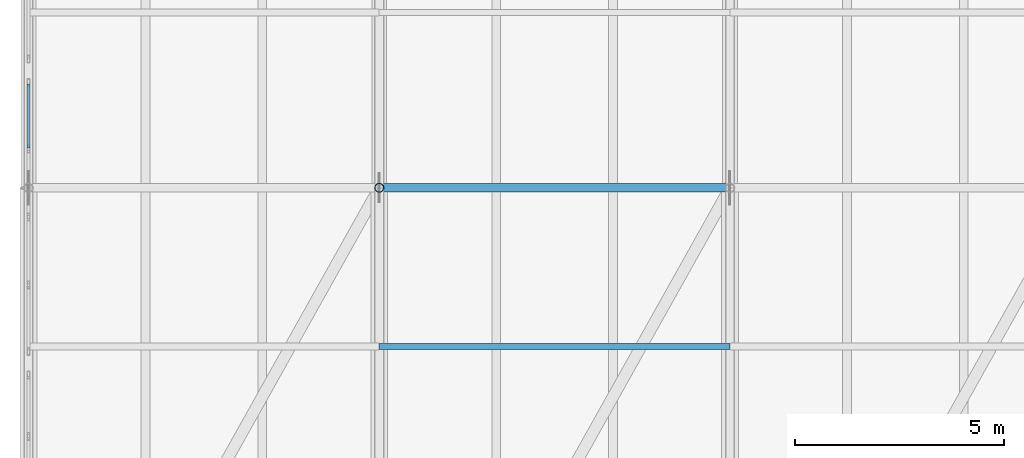
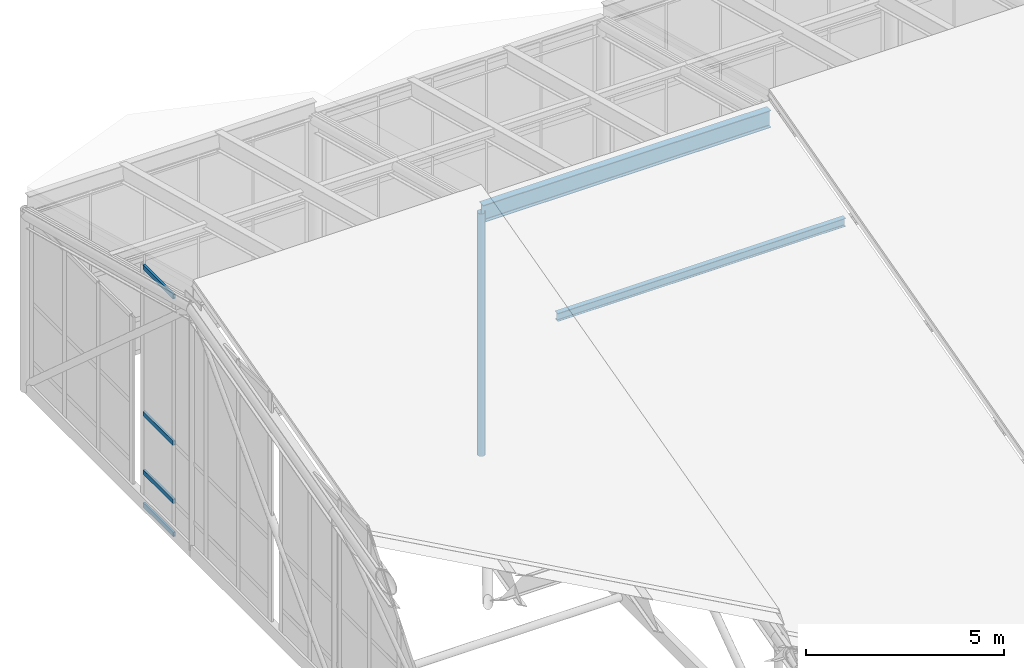
# One storey, part 13 of 43: 6 members, 1 beam, 1 element without a shape of its own.
"""IFC4 building model written with IfcOpenShell, lengths in metres."""

import ifcopenshell
import ifcopenshell.guid

model = None  # the IFC model being written
_history = None  # IfcOwnerHistory: only IFC2X3 demands one
_inside = {}  # id of a spatial element -> (the spatial element, [elements in it])
_under = {}  # id of a project, library or spatial element -> (it, [spatial elements below it])
_declared = {}  # id of a project -> (the project, [libraries it declares])
_typed = {}  # id of a type object -> (the type object, [elements of that type])
_made_of = {}  # id of a material, layer set ... -> (it, [elements and type objects made of it])


def new_model(schema):
    """Start an empty IFC model of exactly this schema.

    Asked for "IFC4X3", IfcOpenShell would pick the latest addendum, in which some entities
    have other attributes; the version numbers below select the first issue.
    IFC2X3 requires an IfcOwnerHistory on every rooted entity: one is made here for all.
    """
    global model, _history
    if schema == "IFC4X3":
        model = ifcopenshell.file(schema_version=(4, 3, 0, 0))
    else:
        model = ifcopenshell.file(schema=schema)
    _inside.clear()
    _under.clear()
    _declared.clear()
    _typed.clear()
    _made_of.clear()
    _history = None
    if model.schema == "IFC2X3":
        org = make("IfcOrganization", Name="unknown")
        user = make(
            "IfcPersonAndOrganization",
            ThePerson=make("IfcPerson", FamilyName="unknown"),
            TheOrganization=org,
        )
        app = make(
            "IfcApplication",
            ApplicationDeveloper=org,
            Version="unknown",
            ApplicationFullName="unknown",
            ApplicationIdentifier="unknown",
        )
        _history = make(
            "IfcOwnerHistory",
            OwningUser=user,
            OwningApplication=app,
            ChangeAction="ADDED",
            CreationDate=0,
        )
    return model


def make(cls, **values):
    """One entity of the class cls with the attributes given. An attribute that is None is left unset."""
    return model.create_entity(
        cls, **{name: value for name, value in values.items() if value is not None}
    )


def rooted(cls, **values):
    """An entity with a GlobalId (a new one), such as an element, a storey or a relation."""
    return make(cls, GlobalId=ifcopenshell.guid.new(), OwnerHistory=_history, **values)


def si_unit(unit_type, name, prefix=None):
    """IfcSIUnit, for example si_unit("LENGTHUNIT", "METRE", prefix="MILLI")."""
    return make("IfcSIUnit", UnitType=unit_type, Prefix=prefix, Name=name)


def assignment(units):
    """IfcUnitAssignment: the units of a project."""
    return None if units is None else make("IfcUnitAssignment", Units=units)


def point(xyz):
    """IfcCartesianPoint."""
    return None if xyz is None else make("IfcCartesianPoint", Coordinates=xyz)


def direction(xyz):
    """IfcDirection."""
    return None if xyz is None else make("IfcDirection", DirectionRatios=xyz)


def frame(location, z_axis=None, x_axis=None):
    """IfcAxis2Placement3D, a coordinate frame: its origin and axes. An axis left out is left unset."""
    return make(
        "IfcAxis2Placement3D",
        Location=point(location),
        Axis=direction(z_axis),
        RefDirection=direction(x_axis),
    )


def frame_2d(location, x_axis=None):
    """IfcAxis2Placement2D, a coordinate frame in the plane: its origin and x axis."""
    return make(
        "IfcAxis2Placement2D", Location=point(location), RefDirection=direction(x_axis)
    )


def origin():
    """The frame at (0, 0, 0) with its axes left unset."""
    return frame((0.0, 0.0, 0.0))


def origin_2d():
    """The frame at (0, 0) in the plane with its x axis left unset."""
    return frame_2d((0.0, 0.0))


def place(relative_to, where):
    """IfcLocalPlacement: puts the frame where relative to a parent placement (None: the world)."""
    return make(
        "IfcLocalPlacement", PlacementRelTo=relative_to, RelativePlacement=where
    )


def context(
    kind, dimensions, precision=None, world=None, true_north=None, identifier=None
):
    """IfcGeometricRepresentationContext, for example the 3D "Model" context."""
    return make(
        "IfcGeometricRepresentationContext",
        ContextIdentifier=identifier,
        ContextType=kind,
        CoordinateSpaceDimension=dimensions,
        Precision=precision,
        WorldCoordinateSystem=world,
        TrueNorth=true_north,
    )


def subcontext(parent, identifier, kind, view, scale=None):
    """IfcGeometricRepresentationSubContext, for example "Body" below "Model"."""
    return make(
        "IfcGeometricRepresentationSubContext",
        ContextIdentifier=identifier,
        ContextType=kind,
        ParentContext=parent,
        TargetScale=scale,
        TargetView=view,
    )


def project(units=None, contexts=None):
    """IfcProject with its units and contexts."""
    return rooted(
        "IfcProject",
        Name="project",
        RepresentationContexts=contexts,
        UnitsInContext=assignment(units),
    )


def spatial(cls, under=None, at=None, **own):
    """A site, building, storey or space (cls), placed at a placement, below another one or the project."""
    s = rooted(cls, ObjectPlacement=at, **own)
    if under is not None:
        _under.setdefault(under.id(), (under, []))[1].append(s)
    return s


def profile(cls, at=None, kind="AREA", **sizes):
    """A parametric profile (cls). Its sizes go by their IFC names, for example OverallWidth=200.0."""
    return make(cls, ProfileType=kind, Position=at, **sizes)


def hollow_rectangle(**sizes):
    """IfcRectangleHollowProfileDef."""
    return profile("IfcRectangleHollowProfileDef", **sizes)


def hollow_circle(**sizes):
    """IfcCircleHollowProfileDef."""
    return profile("IfcCircleHollowProfileDef", **sizes)


def i_section(**sizes):
    """IfcIShapeProfileDef."""
    return profile("IfcIShapeProfileDef", **sizes)


def extrude(swept, where, along, depth):
    """IfcExtrudedAreaSolid: the profile swept, set in the frame where, extruded along a direction by depth."""
    return make(
        "IfcExtrudedAreaSolid",
        SweptArea=swept,
        Position=where,
        ExtrudedDirection=direction(along),
        Depth=depth,
    )


def shape(context_of_items, identifier, shape_type, items):
    """IfcShapeRepresentation: the items that make up one representation, for example the "Body"."""
    return make(
        "IfcShapeRepresentation",
        ContextOfItems=context_of_items,
        RepresentationIdentifier=identifier,
        RepresentationType=shape_type,
        Items=items,
    )


def material(Name=None, Category=None):
    """IfcMaterial."""
    return make("IfcMaterial", Name=Name, Category=Category)


def layer(
    of_material, thickness, ventilated=None, Name=None, Category=None, Priority=None
):
    """IfcMaterialLayer: one layer of a wall or slab, of a material (None: an air gap)."""
    return make(
        "IfcMaterialLayer",
        Material=of_material,
        LayerThickness=thickness,
        IsVentilated=ventilated,
        Name=Name,
        Category=Category,
        Priority=Priority,
    )


def layer_set(layers, Name=None):
    """IfcMaterialLayerSet."""
    return make("IfcMaterialLayerSet", MaterialLayers=layers, LayerSetName=Name)


def material_profile(
    of_material, cross_section, Name=None, Category=None, Priority=None
):
    """IfcMaterialProfile: a cross section and its material."""
    return make(
        "IfcMaterialProfile",
        Name=Name,
        Material=of_material,
        Profile=cross_section,
        Priority=Priority,
        Category=Category,
    )


def profile_set(profiles, Name=None, composite=None):
    """IfcMaterialProfileSet."""
    return make(
        "IfcMaterialProfileSet",
        Name=Name,
        MaterialProfiles=profiles,
        CompositeProfile=composite,
    )


def made_of(thing, what):
    """Note that an element or type object is made of a material, layer set ...; save() writes the relation."""
    if what is not None:
        _made_of.setdefault(what.id(), (what, []))[1].append(thing)
    return thing


def type_object(cls, material=None, **own):
    """A type object (cls), such as IfcWallType, which elements share."""
    return made_of(rooted(cls, **own), material)


def element(
    cls,
    number,
    at=None,
    inside=None,
    cuts=None,
    type_object=None,
    material=None,
    context=None,
    identifier="Body",
    shape_type=None,
    held_by="IfcProductDefinitionShape",
    body=None,
    shapes=None,
    **own,
):
    """One element of the class cls, such as IfcWall. Its Tag is "e" and its number.

    at: its placement. inside: the storey or other place that contains it. cuts: it is an
    opening in that element (IfcRelVoidsElement). A single representation is given by context,
    identifier, shape_type and body (its items); several are given by shapes. held_by: the class
    of the entity that holds the representations. save() writes the other relations.
    """
    e = rooted(cls, Tag="e%d" % number, ObjectPlacement=at, **own)
    if body is not None:
        shapes = [shape(context, identifier, shape_type, body)]
    if shapes is not None:
        e.Representation = make(held_by, Representations=shapes)
    if inside is not None:
        _inside.setdefault(inside.id(), (inside, []))[1].append(e)
    if cuts is not None:
        rooted(
            "IfcRelVoidsElement", RelatingBuildingElement=cuts, RelatedOpeningElement=e
        )
    if type_object is not None:
        _typed.setdefault(type_object.id(), (type_object, []))[1].append(e)
    return made_of(e, material)


def aggregate(whole, parts):
    """IfcRelAggregates: a whole, such as a stair, and the parts it consists of."""
    return rooted("IfcRelAggregates", RelatingObject=whole, RelatedObjects=parts)


def save(model, path):
    """Write the relations noted so far, then the file.

    IfcRelAggregates (storeys below a building ...), IfcRelContainedInSpatialStructure (elements
    in a storey), IfcRelDefinesByType, IfcRelAssociatesMaterial and IfcRelDeclares: one each for
    every whole, place, type object, material and project.
    """
    for whole, parts in _under.values():
        aggregate(whole, parts)
    for where, things in _inside.values():
        rooted(
            "IfcRelContainedInSpatialStructure",
            RelatedElements=things,
            RelatingStructure=where,
        )
    for kind, things in _typed.values():
        rooted("IfcRelDefinesByType", RelatedObjects=things, RelatingType=kind)
    for what, things in _made_of.values():
        rooted("IfcRelAssociatesMaterial", RelatedObjects=things, RelatingMaterial=what)
    for by, libraries in _declared.values():
        rooted("IfcRelDeclares", RelatingContext=by, RelatedDefinitions=libraries)
    model.write(path)


model = new_model("IFC4")

# Units and contexts
model_context = context("Model", 3, precision=1e-05, world=origin(), true_north=direction((0.0, 1.0)))
body_context = subcontext(model_context, "Body", "Model", "MODEL_VIEW")
ifc_project = project(units=[si_unit("LENGTHUNIT", "METRE"), si_unit("AREAUNIT", "SQUARE_METRE"), si_unit("VOLUMEUNIT", "CUBIC_METRE"), si_unit("PLANEANGLEUNIT", "RADIAN"), si_unit("MASSUNIT", "GRAM", prefix="KILO")], contexts=[model_context])

# Site, building, storey
site_placement = place(None, origin())
site = spatial("IfcSite", under=ifc_project, at=site_placement, CompositionType="ELEMENT")
building_placement = place(site_placement, origin())
building = spatial("IfcBuilding", under=site, at=building_placement, Name="Selat Folded Stagehouse", CompositionType="ELEMENT")
storey_placement = place(building_placement, frame((0.0, 0.0, 32.39990234375)))
storey = spatial("IfcBuildingStorey", under=building, at=storey_placement, Name="RF", CompositionType="ELEMENT", Elevation=32.39990234375)

# Beam
ifc_material_1 = material(Name="Steel S355", Category="steel")
ifc_material_profile_1 = material_profile(ifc_material_1, i_section(OverallWidth=0.209228515625, OverallDepth=0.533203125, WebThickness=0.010009765625, FlangeThickness=0.015625, FilletRadius=0.0126953125, at=origin_2d()), Name="UKB 533x210x92")
ifc_profile_set_1 = profile_set([ifc_material_profile_1], Name="Steel S355")
beam_type = type_object("IfcBeamType", Name="BM-GIRD-533x210x92", PredefinedType="BEAM", material=ifc_profile_set_1)
beam_placement = place(storey_placement, frame((16.800048828125, 46.199951171875, 7.60888671875), z_axis=(1.0, 0.0, 0.0), x_axis=(0.0, 1.0, 0.0)))
element("IfcBeam", 1, at=beam_placement, inside=storey, type_object=beam_type, Name="RF bay 2 R roof bearer beam", PredefinedType="BEAM", context=body_context, shape_type="SweptSolid", body=[
    extrude(i_section(OverallWidth=0.209228515625, OverallDepth=0.533203125, WebThickness=0.010009765625, FlangeThickness=0.015625, FilletRadius=0.0126953125, at=origin_2d()), origin(), (0.0, 0.0, 1.0), 8.39990234375),
])

# Curtain wall, members
ifc_material_2 = material(Name="Aluminium 6063-T6", Category="aluminium")
ifc_layer = layer(ifc_material_2, 0.169921875)
ifc_layer_set = layer_set([ifc_layer], Name="Aluminium 6063-T6")
curtain_wall_type = type_object("IfcCurtainWallType", Name="CW-CRN-CLER", PredefinedType="NOTDEFINED", material=ifc_layer_set)
curtain_wall_placement = place(storey_placement, origin())
curtain_wall = element("IfcCurtainWall", 2, at=curtain_wall_placement, inside=storey, type_object=curtain_wall_type, Name="RF curtain wall CW-RF-W-02", PredefinedType="NOTDEFINED")
ifc_material_profile_2 = material_profile(ifc_material_2, hollow_rectangle(XDim=0.06494140625, YDim=0.139892578125, WallThickness=0.00390625, at=origin_2d()), Name="ALU 140x65x4.0")
ifc_profile_set_2 = profile_set([ifc_material_profile_2], Name="Aluminium 6063-T6")
member_type_1 = type_object("IfcMemberType", Name="CWM-TRN-140x65", PredefinedType="USERDEFINED", material=ifc_profile_set_2)
member_1_placement = place(storey_placement, frame((8.39990234375, 47.157470703125, 0.03271484375), z_axis=(0.0, 1.0, 0.0), x_axis=(-1.0, 0.0, 0.0)))
member_1 = element("IfcMember", 3, at=member_1_placement, type_object=member_type_1, Name="CW-09 transom 4.1", ObjectType="TRANSOM", PredefinedType="USERDEFINED", context=body_context, shape_type="SweptSolid", body=[
    extrude(hollow_rectangle(XDim=0.06494140625, YDim=0.139892578125, WallThickness=0.00390625, at=origin_2d()), origin(), (0.0, 0.0, 1.0), 1.527587890625),
])
member_2_placement = place(storey_placement, frame((8.39990234375, 47.157470703125, 1.050048828125), z_axis=(0.0, 1.0, 0.0), x_axis=(-1.0, 0.0, 0.0)))
member_2 = element("IfcMember", 4, at=member_2_placement, type_object=member_type_1, Name="CW-09 transom 4.2", ObjectType="TRANSOM", PredefinedType="USERDEFINED", context=body_context, shape_type="SweptSolid", body=[
    extrude(hollow_rectangle(XDim=0.06494140625, YDim=0.139892578125, WallThickness=0.00390625, at=origin_2d()), origin(), (0.0, 0.0, 1.0), 1.527587890625),
])
member_3_placement = place(storey_placement, frame((8.39990234375, 47.157470703125, 2.85009765625), z_axis=(0.0, 1.0, 0.0), x_axis=(-1.0, 0.0, 0.0)))
member_3 = element("IfcMember", 5, at=member_3_placement, type_object=member_type_1, Name="CW-09 transom 4.3", ObjectType="TRANSOM", PredefinedType="USERDEFINED", context=body_context, shape_type="SweptSolid", body=[
    extrude(hollow_rectangle(XDim=0.06494140625, YDim=0.139892578125, WallThickness=0.00390625, at=origin_2d()), origin(), (0.0, 0.0, 1.0), 1.527587890625),
])
member_4_placement = place(storey_placement, frame((8.39990234375, 47.157470703125, 7.36767578125), z_axis=(0.0, 1.0, 0.0), x_axis=(-1.0, 0.0, 0.0)))
member_4 = element("IfcMember", 6, at=member_4_placement, type_object=member_type_1, Name="CW-09 transom 4.4", ObjectType="TRANSOM", PredefinedType="USERDEFINED", context=body_context, shape_type="SweptSolid", body=[
    extrude(hollow_rectangle(XDim=0.06494140625, YDim=0.139892578125, WallThickness=0.00390625, at=origin_2d()), origin(), (0.0, 0.0, 1.0), 1.527587890625),
])
aggregate(curtain_wall, [member_1, member_2, member_3, member_4])

# Members
ifc_material_profile_3 = material_profile(ifc_material_1, hollow_circle(Radius=0.109619140625, WallThickness=0.010009765625, at=origin_2d()), Name="CHS 219.1x10.0")
ifc_profile_set_3 = profile_set([ifc_material_profile_3], Name="Steel S355")
member_type_2 = type_object("IfcMemberType", Name="MEM-POST-CHS219", PredefinedType="POST", material=ifc_profile_set_3)
member_5_placement = place(storey_placement, frame((16.800048828125, 46.199951171875, 0.150146484375), z_axis=(0.0, 0.0, 1.0), x_axis=(1.0, 0.0, 0.0)))
element("IfcMember", 7, at=member_5_placement, inside=storey, type_object=member_type_2, Name="Folded-plate truss post 2.3", PredefinedType="POST", context=body_context, shape_type="SweptSolid", body=[
    extrude(hollow_circle(Radius=0.109619140625, WallThickness=0.010009765625, at=origin_2d()), origin(), (0.0, 0.0, 1.0), 7.477783203125),
])
ifc_material_profile_4 = material_profile(ifc_material_1, i_section(OverallWidth=0.14599609375, OverallDepth=0.25146484375, WebThickness=0.006103515625, FlangeThickness=0.008544921875, FilletRadius=0.007568359375, at=origin_2d()), Name="UKB 254x146x31")
ifc_profile_set_4 = profile_set([ifc_material_profile_4], Name="Steel S355")
member_type_3 = type_object("IfcMemberType", Name="MEM-PURLIN-UKB254", PredefinedType="PURLIN", material=ifc_profile_set_4)
member_6_placement = place(storey_placement, frame((16.800048828125, 42.39990234375, 6.704345703125), z_axis=(1.0, 0.0, 0.0), x_axis=(0.0, 1.0, 0.0)))
element("IfcMember", 8, at=member_6_placement, inside=storey, type_object=member_type_3, Name="Folded-plate roof purlin bay 2.4", PredefinedType="PURLIN", context=body_context, shape_type="SweptSolid", body=[
    extrude(i_section(OverallWidth=0.14599609375, OverallDepth=0.25146484375, WebThickness=0.006103515625, FlangeThickness=0.008544921875, FilletRadius=0.007568359375, at=origin_2d()), origin(), (0.0, 0.0, 1.0), 8.39990234375),
])

save(model, "model.ifc")
